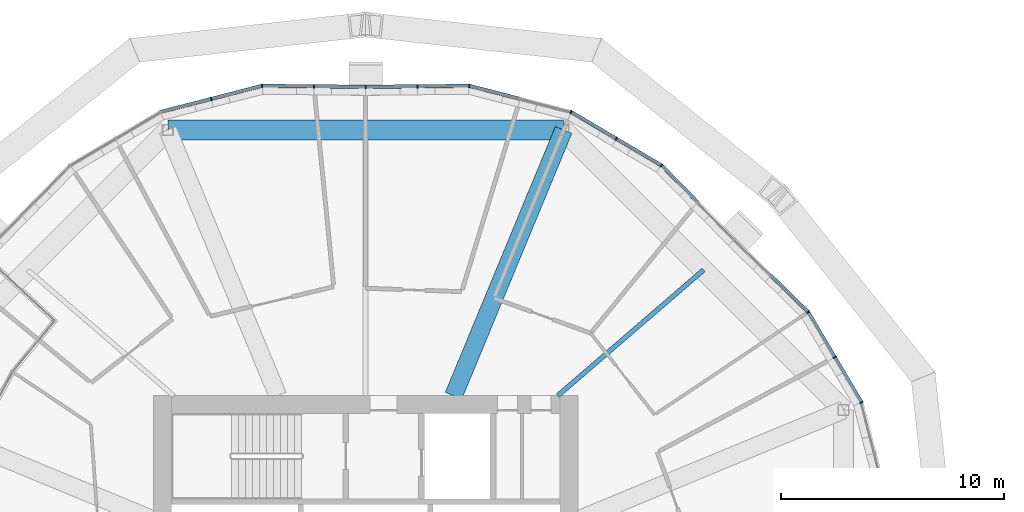
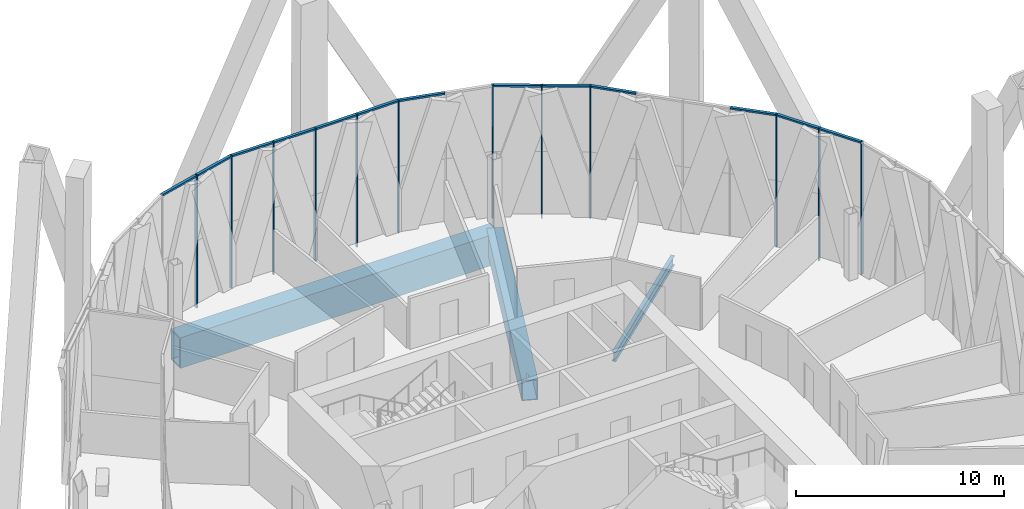
# One storey, part 8 of 30: 25 members, 3 beams, 3 elements without a shape of their own.
"""IFC4 building model written with IfcOpenShell, lengths in metres."""

from ifc_helpers import new_model, si_unit, direction, frame, origin, origin_2d, place, context, subcontext, project, spatial, rectangle, hollow_rectangle, i_section, extrude, material, material_profile, profile_set, type_object, element, aggregate, save


model = new_model("IFC4")

# Units and contexts
model_context = context("Model", 3, precision=1e-05, world=origin(), true_north=direction((0.0, 1.0)))
body_context = subcontext(model_context, "Body", "Model", "MODEL_VIEW")
ifc_project = project(units=[si_unit("LENGTHUNIT", "METRE"), si_unit("AREAUNIT", "SQUARE_METRE"), si_unit("VOLUMEUNIT", "CUBIC_METRE"), si_unit("PLANEANGLEUNIT", "RADIAN"), si_unit("MASSUNIT", "GRAM", prefix="KILO")], contexts=[model_context])

# Site, building, storey
site_placement = place(None, origin())
site = spatial("IfcSite", under=ifc_project, at=site_placement, CompositionType="ELEMENT")
building_placement = place(site_placement, origin())
building = spatial("IfcBuilding", under=site, at=building_placement, Name="Ogive Gate Towers", CompositionType="ELEMENT")
storey_placement = place(building_placement, frame((0.0, 0.0, 99.60009765625)))
storey = spatial("IfcBuildingStorey", under=building, at=storey_placement, Name="L23", CompositionType="ELEMENT", Elevation=99.60009765625)

# Beams
ifc_material_1 = material(Name="Steel SM460", Category="steel")
ifc_material_profile_1 = material_profile(ifc_material_1, hollow_rectangle(XDim=0.89990234375, YDim=1.800048828125, WallThickness=0.080078125, at=origin_2d()), Name="BX 1800x900x80")
ifc_profile_set_1 = profile_set([ifc_material_profile_1], Name="Steel SM460")
beam_type_1 = type_object("IfcBeamType", Name="Edge girder BX 1800x900x80", PredefinedType="BEAM", material=ifc_profile_set_1)
beam_1_placement = place(storey_placement, frame((-27.136962890625, 21.39697265625, -1.2001953125), z_axis=(-1.0, 0.0, 0.0), x_axis=(0.0, -1.0, 0.0)))
element("IfcBeam", 1, at=beam_1_placement, inside=storey, type_object=beam_type_1, Name="T1/L23/SBM022", PredefinedType="BEAM", context=body_context, shape_type="SweptSolid", body=[
    extrude(hollow_rectangle(XDim=0.89990234375, YDim=1.800048828125, WallThickness=0.080078125, at=origin_2d()), origin(), (0.0, 0.0, 1.0), 17.72607421875),
])
ifc_material_2 = material(Name="Steel SM355", Category="steel")
ifc_material_profile_2 = material_profile(ifc_material_2, i_section(OverallWidth=0.2099609375, OverallDepth=0.550048828125, WebThickness=0.010986328125, FlangeThickness=0.01708984375, FilletRadius=0.02392578125, at=origin_2d()), Name="IPE 550")
ifc_profile_set_2 = profile_set([ifc_material_profile_2], Name="Steel SM355")
beam_type_2 = type_object("IfcBeamType", Name="Radial floor beam IPE 550", PredefinedType="BEAM", material=ifc_profile_set_2)
beam_2_placement = place(storey_placement, frame((-27.39990234375, 9.5, -0.5751953125), z_axis=(0.757366499315, 0.652990034928, 0.0), x_axis=(-0.652990034928, 0.757366499315, 0.0)))
element("IfcBeam", 2, at=beam_2_placement, inside=storey, type_object=beam_type_2, Name="T1/L23/SBM010", PredefinedType="BEAM", context=body_context, shape_type="SweptSolid", body=[
    extrude(i_section(OverallWidth=0.2099609375, OverallDepth=0.550048828125, WebThickness=0.010986328125, FlangeThickness=0.01708984375, FilletRadius=0.02392578125, at=origin_2d()), origin(), (0.0, 0.0, 1.0), 8.62158203125),
])

# Curtain wall, members
ifc_material_3 = material(Name="Pale metal aluminium", Category="aluminium")
curtain_wall_type = type_object("IfcCurtainWallType", Name="Tower unitised wall, low zone", PredefinedType="NOTDEFINED", material=ifc_material_3)
curtain_wall_1_placement = place(storey_placement, origin())
curtain_wall_1 = element("IfcCurtainWall", 3, at=curtain_wall_1_placement, inside=storey, type_object=curtain_wall_type, Name="CW1 T1 ECW03", PredefinedType="NOTDEFINED")
ifc_material_profile_3 = material_profile(ifc_material_3, rectangle(XDim=0.159912109375, YDim=0.06005859375, at=origin_2d()), Name="60 x 160 aluminium box")
ifc_profile_set_3 = profile_set([ifc_material_profile_3], Name="Pale metal aluminium")
member_type_1 = type_object("IfcMemberType", Name="Tower unitised wall, low zone mullion 60 x 160", PredefinedType="MULLION", material=ifc_profile_set_3)
member_1_placement = place(storey_placement, frame((-16.190673828125, 13.2470703125, -0.300048828125), z_axis=(0.0, 0.0, 1.0), x_axis=(-0.787387121413, -0.616458855912, 0.0)))
member_1 = element("IfcMember", 4, at=member_1_placement, type_object=member_type_1, Name="CW1 mullion", PredefinedType="MULLION", context=body_context, shape_type="SweptSolid", body=[
    extrude(rectangle(XDim=0.159912109375, YDim=0.06005859375, at=origin_2d()), origin(), (0.0, 0.0, 1.0), 7.800048828125),
])
member_2_placement = place(storey_placement, frame((-14.994384765625, 11.221923828125, -0.300048828125), z_axis=(0.0, 0.0, 1.0), x_axis=(-0.86103507103, -0.508545579527, 0.0)))
member_2 = element("IfcMember", 5, at=member_2_placement, type_object=member_type_1, Name="CW1 mullion", PredefinedType="MULLION", context=body_context, shape_type="SweptSolid", body=[
    extrude(rectangle(XDim=0.159912109375, YDim=0.06005859375, at=origin_2d()), origin(), (0.0, 0.0, 1.0), 7.800048828125),
])
member_3_placement = place(storey_placement, frame((-13.798095703125, 9.1962890625, -0.300048828125), z_axis=(0.0, 0.0, 1.0), x_axis=(-0.923879532511, -0.382683432365, 0.0)))
member_3 = element("IfcMember", 6, at=member_3_placement, type_object=member_type_1, Name="CW1 mullion", PredefinedType="MULLION", context=body_context, shape_type="SweptSolid", body=[
    extrude(rectangle(XDim=0.159912109375, YDim=0.06005859375, at=origin_2d()), origin(), (0.0, 0.0, 1.0), 7.800048828125),
])

curtain_wall_2_placement = place(storey_placement, origin())
curtain_wall_2 = element("IfcCurtainWall", 7, at=curtain_wall_2_placement, inside=storey, type_object=curtain_wall_type, Name="CW1 T1 ECW04", PredefinedType="NOTDEFINED")
member_4_placement = place(storey_placement, frame((-36.000244140625, 23.330078125, -0.300048828125), z_axis=(0.0, 0.0, 1.0), x_axis=(0.009616615949, -0.99995375928, 0.0)))
member_4 = element("IfcMember", 8, at=member_4_placement, type_object=member_type_1, Name="CW1 mullion", PredefinedType="MULLION", context=body_context, shape_type="SweptSolid", body=[
    extrude(rectangle(XDim=0.159912109375, YDim=0.06005859375, at=origin_2d()), origin(), (0.0, 0.0, 1.0), 7.800048828125),
])
member_5_placement = place(storey_placement, frame((-33.681396484375, 23.352294921875, -0.300048828125), z_axis=(0.0, 0.0, 1.0), x_axis=(0.009599163462, -0.999953926969, 0.0)))
member_5 = element("IfcMember", 9, at=member_5_placement, type_object=member_type_1, Name="CW1 mullion", PredefinedType="MULLION", context=body_context, shape_type="SweptSolid", body=[
    extrude(rectangle(XDim=0.159912109375, YDim=0.06005859375, at=origin_2d()), origin(), (0.0, 0.0, 1.0), 7.800048828125),
])
member_6_placement = place(storey_placement, frame((-31.35986328125, 23.37451171875, -0.300048828125), z_axis=(0.0, 0.0, 1.0), x_axis=(-0.120864535632, -0.992669010308, 0.0)))
member_6 = element("IfcMember", 10, at=member_6_placement, type_object=member_type_1, Name="CW1 mullion", PredefinedType="MULLION", context=body_context, shape_type="SweptSolid", body=[
    extrude(rectangle(XDim=0.159912109375, YDim=0.06005859375, at=origin_2d()), origin(), (0.0, 0.0, 1.0), 7.800048828125),
])
member_7_placement = place(storey_placement, frame((-26.8037109375, 22.201904296875, -0.300048828125), z_axis=(0.0, 0.0, 1.0), x_axis=(-0.382683432365, -0.923879532511, 0.0)))
member_7 = element("IfcMember", 11, at=member_7_placement, type_object=member_type_1, Name="CW1 mullion", PredefinedType="MULLION", context=body_context, shape_type="SweptSolid", body=[
    extrude(rectangle(XDim=0.159912109375, YDim=0.06005859375, at=origin_2d()), origin(), (0.0, 0.0, 1.0), 7.800048828125),
])
member_8_placement = place(storey_placement, frame((-24.778076171875, 21.005615234375, -0.300048828125), z_axis=(0.0, 0.0, 1.0), x_axis=(-0.508545579527, -0.86103507103, 0.0)))
member_8 = element("IfcMember", 12, at=member_8_placement, type_object=member_type_1, Name="CW1 mullion", PredefinedType="MULLION", context=body_context, shape_type="SweptSolid", body=[
    extrude(rectangle(XDim=0.159912109375, YDim=0.06005859375, at=origin_2d()), origin(), (0.0, 0.0, 1.0), 7.800048828125),
])
member_9_placement = place(storey_placement, frame((-22.7529296875, 19.809326171875, -0.300048828125), z_axis=(0.0, 0.0, 1.0), x_axis=(-0.616458855912, -0.787387121413, 0.0)))
member_9 = element("IfcMember", 13, at=member_9_placement, type_object=member_type_1, Name="CW1 mullion", PredefinedType="MULLION", context=body_context, shape_type="SweptSolid", body=[
    extrude(rectangle(XDim=0.159912109375, YDim=0.06005859375, at=origin_2d()), origin(), (0.0, 0.0, 1.0), 7.800048828125),
])

curtain_wall_3_placement = place(storey_placement, origin())
curtain_wall_3 = element("IfcCurtainWall", 14, at=curtain_wall_3_placement, inside=storey, type_object=curtain_wall_type, Name="CW1 T1 ECW05", PredefinedType="NOTDEFINED")
member_10_placement = place(storey_placement, frame((-42.918212890625, 22.788330078125, -0.300048828125), z_axis=(0.0, 0.0, 1.0), x_axis=(0.249247709738, -0.968439765391, 0.0)))
member_10 = element("IfcMember", 15, at=member_10_placement, type_object=member_type_1, Name="CW1 mullion", PredefinedType="MULLION", context=body_context, shape_type="SweptSolid", body=[
    extrude(rectangle(XDim=0.159912109375, YDim=0.06005859375, at=origin_2d()), origin(), (0.0, 0.0, 1.0), 7.800048828125),
])
member_11_placement = place(storey_placement, frame((-40.64013671875, 23.37451171875, -0.300048828125), z_axis=(0.0, 0.0, 1.0), x_axis=(0.120864535632, -0.992669010308, 0.0)))
member_11 = element("IfcMember", 16, at=member_11_placement, type_object=member_type_1, Name="CW1 mullion", PredefinedType="MULLION", context=body_context, shape_type="SweptSolid", body=[
    extrude(rectangle(XDim=0.159912109375, YDim=0.06005859375, at=origin_2d()), origin(), (0.0, 0.0, 1.0), 7.800048828125),
])
member_12_placement = place(storey_placement, frame((-38.318603515625, 23.352294921875, -0.300048828125), z_axis=(0.0, 0.0, 1.0), x_axis=(-0.009599163462, -0.999953926969, 0.0)))
member_12 = element("IfcMember", 17, at=member_12_placement, type_object=member_type_1, Name="CW1 mullion", PredefinedType="MULLION", context=body_context, shape_type="SweptSolid", body=[
    extrude(rectangle(XDim=0.159912109375, YDim=0.06005859375, at=origin_2d()), origin(), (0.0, 0.0, 1.0), 7.800048828125),
])

# Member
ifc_material_profile_4 = material_profile(ifc_material_3, rectangle(XDim=0.159912109375, YDim=0.10009765625, at=origin_2d()), Name="100 x 160 aluminium box")
ifc_profile_set_4 = profile_set([ifc_material_profile_4], Name="Pale metal aluminium")
member_type_2 = type_object("IfcMemberType", Name="Tower unitised wall, low zone transom 100 x 160", PredefinedType="USERDEFINED", material=ifc_profile_set_4)
member_13_placement = place(storey_placement, frame((-17.826416015625, 14.85205078125, 7.449951171875), z_axis=(0.713829147269, -0.700319890129, 0.0), x_axis=(0.700319890129, 0.713829147269, 0.0)))
member_13 = element("IfcMember", 18, at=member_13_placement, type_object=member_type_2, Name="CW1 transom", ObjectType="TRANSOM", PredefinedType="USERDEFINED", context=body_context, shape_type="SweptSolid", body=[
    extrude(rectangle(XDim=0.159912109375, YDim=0.10009765625, at=origin_2d()), origin(), (0.0, 0.0, 1.0), 2.259033203125),
])

member_14_placement = place(storey_placement, frame((-16.173828125, 13.218994140625, 7.449951171875), z_axis=(0.508571220017, -0.861019926697, 0.0), x_axis=(0.861019926697, 0.508571220017, 0.0)))
member_14 = element("IfcMember", 19, at=member_14_placement, type_object=member_type_2, Name="CW1 transom", ObjectType="TRANSOM", PredefinedType="USERDEFINED", context=body_context, shape_type="SweptSolid", body=[
    extrude(rectangle(XDim=0.159912109375, YDim=0.10009765625, at=origin_2d()), origin(), (0.0, 0.0, 1.0), 2.289306640625),
])

member_15_placement = place(storey_placement, frame((-14.97900390625, 11.196044921875, 7.449951171875), z_axis=(0.508524526508, -0.861047505043, 0.0), x_axis=(0.861047505043, 0.508524526508, 0.0)))
member_15 = element("IfcMember", 20, at=member_15_placement, type_object=member_type_2, Name="CW1 transom", ObjectType="TRANSOM", PredefinedType="USERDEFINED", context=body_context, shape_type="SweptSolid", body=[
    extrude(rectangle(XDim=0.159912109375, YDim=0.10009765625, at=origin_2d()), origin(), (0.0, 0.0, 1.0), 2.28955078125),
])

aggregate(curtain_wall_1, [member_1, member_13, member_2, member_14, member_3, member_15])

member_16_placement = place(storey_placement, frame((-35.97021484375, 23.330322265625, 7.449951171875), z_axis=(0.999953745418, 0.009618057208, 0.0), x_axis=(-0.009618057208, 0.999953745418, 0.0)))
member_16 = element("IfcMember", 21, at=member_16_placement, type_object=member_type_2, Name="CW1 transom", ObjectType="TRANSOM", PredefinedType="USERDEFINED", context=body_context, shape_type="SweptSolid", body=[
    extrude(rectangle(XDim=0.159912109375, YDim=0.10009765625, at=origin_2d()), origin(), (0.0, 0.0, 1.0), 2.259033203125),
])

member_17_placement = place(storey_placement, frame((-33.6513671875, 23.3525390625, 7.449951171875), z_axis=(0.999953745418, 0.009618057208, 0.0), x_axis=(-0.009618057208, 0.999953745418, 0.0)))
member_17 = element("IfcMember", 22, at=member_17_placement, type_object=member_type_2, Name="CW1 transom", ObjectType="TRANSOM", PredefinedType="USERDEFINED", context=body_context, shape_type="SweptSolid", body=[
    extrude(rectangle(XDim=0.159912109375, YDim=0.10009765625, at=origin_2d()), origin(), (0.0, 0.0, 1.0), 2.259033203125),
])

member_18_placement = place(storey_placement, frame((-31.328125, 23.366455078125, 7.449951171875), z_axis=(0.968425293008, -0.249303934712, 0.0), x_axis=(0.249303934712, 0.968425293008, 0.0)))
member_18 = element("IfcMember", 23, at=member_18_placement, type_object=member_type_2, Name="CW1 transom", ObjectType="TRANSOM", PredefinedType="USERDEFINED", context=body_context, shape_type="SweptSolid", body=[
    extrude(rectangle(XDim=0.159912109375, YDim=0.10009765625, at=origin_2d()), origin(), (0.0, 0.0, 1.0), 2.28955078125),
])

member_19_placement = place(storey_placement, frame((-26.775390625, 22.185302734375, 7.449951171875), z_axis=(0.861047505043, -0.508524526508, 0.0), x_axis=(0.508524526508, 0.861047505043, 0.0)))
member_19 = element("IfcMember", 24, at=member_19_placement, type_object=member_type_2, Name="CW1 transom", ObjectType="TRANSOM", PredefinedType="USERDEFINED", context=body_context, shape_type="SweptSolid", body=[
    extrude(rectangle(XDim=0.159912109375, YDim=0.10009765625, at=origin_2d()), origin(), (0.0, 0.0, 1.0), 2.28955078125),
])

member_20_placement = place(storey_placement, frame((-24.752197265625, 20.990478515625, 7.449951171875), z_axis=(0.861019926697, -0.508571220017, 0.0), x_axis=(0.508571220017, 0.861019926697, 0.0)))
member_20 = element("IfcMember", 25, at=member_20_placement, type_object=member_type_2, Name="CW1 transom", ObjectType="TRANSOM", PredefinedType="USERDEFINED", context=body_context, shape_type="SweptSolid", body=[
    extrude(rectangle(XDim=0.159912109375, YDim=0.10009765625, at=origin_2d()), origin(), (0.0, 0.0, 1.0), 2.289306640625),
])

member_21_placement = place(storey_placement, frame((-22.72998046875, 19.7861328125, 7.449951171875), z_axis=(0.700319890129, -0.713829147269, 0.0), x_axis=(0.713829147269, 0.700319890129, 0.0)))
member_21 = element("IfcMember", 26, at=member_21_placement, type_object=member_type_2, Name="CW1 transom", ObjectType="TRANSOM", PredefinedType="USERDEFINED", context=body_context, shape_type="SweptSolid", body=[
    extrude(rectangle(XDim=0.159912109375, YDim=0.10009765625, at=origin_2d()), origin(), (0.0, 0.0, 1.0), 2.259033203125),
])

aggregate(curtain_wall_2, [member_4, member_5, member_16, member_6, member_17, member_18, member_7, member_8, member_19, member_9, member_20, member_21])

member_22_placement = place(storey_placement, frame((-45.16455078125, 22.210205078125, 7.449951171875), z_axis=(0.968451032757, 0.249203926839, 0.0), x_axis=(-0.249203926839, 0.968451032757, 0.0)))
member_22 = element("IfcMember", 27, at=member_22_placement, type_object=member_type_2, Name="CW1 transom", ObjectType="TRANSOM", PredefinedType="USERDEFINED", context=body_context, shape_type="SweptSolid", body=[
    extrude(rectangle(XDim=0.159912109375, YDim=0.10009765625, at=origin_2d()), origin(), (0.0, 0.0, 1.0), 2.28955078125),
])

member_23_placement = place(storey_placement, frame((-42.88916015625, 22.795654296875, 7.449951171875), z_axis=(0.968425293008, 0.249303934712, 0.0), x_axis=(-0.249303934712, 0.968425293008, 0.0)))
member_23 = element("IfcMember", 28, at=member_23_placement, type_object=member_type_2, Name="CW1 transom", ObjectType="TRANSOM", PredefinedType="USERDEFINED", context=body_context, shape_type="SweptSolid", body=[
    extrude(rectangle(XDim=0.159912109375, YDim=0.10009765625, at=origin_2d()), origin(), (0.0, 0.0, 1.0), 2.28955078125),
])

member_24_placement = place(storey_placement, frame((-40.607666015625, 23.374267578125, 7.449951171875), z_axis=(0.999953745418, -0.009618057208, 0.0), x_axis=(0.009618057208, 0.999953745418, 0.0)))
member_24 = element("IfcMember", 29, at=member_24_placement, type_object=member_type_2, Name="CW1 transom", ObjectType="TRANSOM", PredefinedType="USERDEFINED", context=body_context, shape_type="SweptSolid", body=[
    extrude(rectangle(XDim=0.159912109375, YDim=0.10009765625, at=origin_2d()), origin(), (0.0, 0.0, 1.0), 2.259033203125),
])

member_25_placement = place(storey_placement, frame((-38.288818359375, 23.35205078125, 7.449951171875), z_axis=(0.999953745418, -0.009618057208, 0.0), x_axis=(0.009618057208, 0.999953745418, 0.0)))
member_25 = element("IfcMember", 30, at=member_25_placement, type_object=member_type_2, Name="CW1 transom", ObjectType="TRANSOM", PredefinedType="USERDEFINED", context=body_context, shape_type="SweptSolid", body=[
    extrude(rectangle(XDim=0.159912109375, YDim=0.10009765625, at=origin_2d()), origin(), (0.0, 0.0, 1.0), 2.259033203125),
])

aggregate(curtain_wall_3, [member_10, member_22, member_11, member_23, member_12, member_24, member_25])

# Beam
ifc_material_profile_5 = material_profile(ifc_material_1, hollow_rectangle(XDim=0.800048828125, YDim=1.199951171875, WallThickness=0.050048828125, at=origin_2d()), Name="BX 1200x800x50")
ifc_profile_set_5 = profile_set([ifc_material_profile_5], Name="Steel SM460")
beam_type_3 = type_object("IfcBeamType", Name="Transfer radial beam BX 1200x800x50", PredefinedType="BEAM", material=ifc_profile_set_5)
beam_3_placement = place(storey_placement, frame((-32.06494140625, 9.5, -0.900146484375), z_axis=(0.382689470177, 0.923877031545, 0.0), x_axis=(-0.923877031545, 0.382689470177, 0.0)))
element("IfcBeam", 31, at=beam_3_placement, inside=storey, type_object=beam_type_3, Name="T1/L23/SBM011", PredefinedType="BEAM", context=body_context, shape_type="SweptSolid", body=[
    extrude(hollow_rectangle(XDim=0.800048828125, YDim=1.199951171875, WallThickness=0.050048828125, at=origin_2d()), origin(), (0.0, 0.0, 1.0), 12.877197265625),
])

save(model, "model.ifc")
